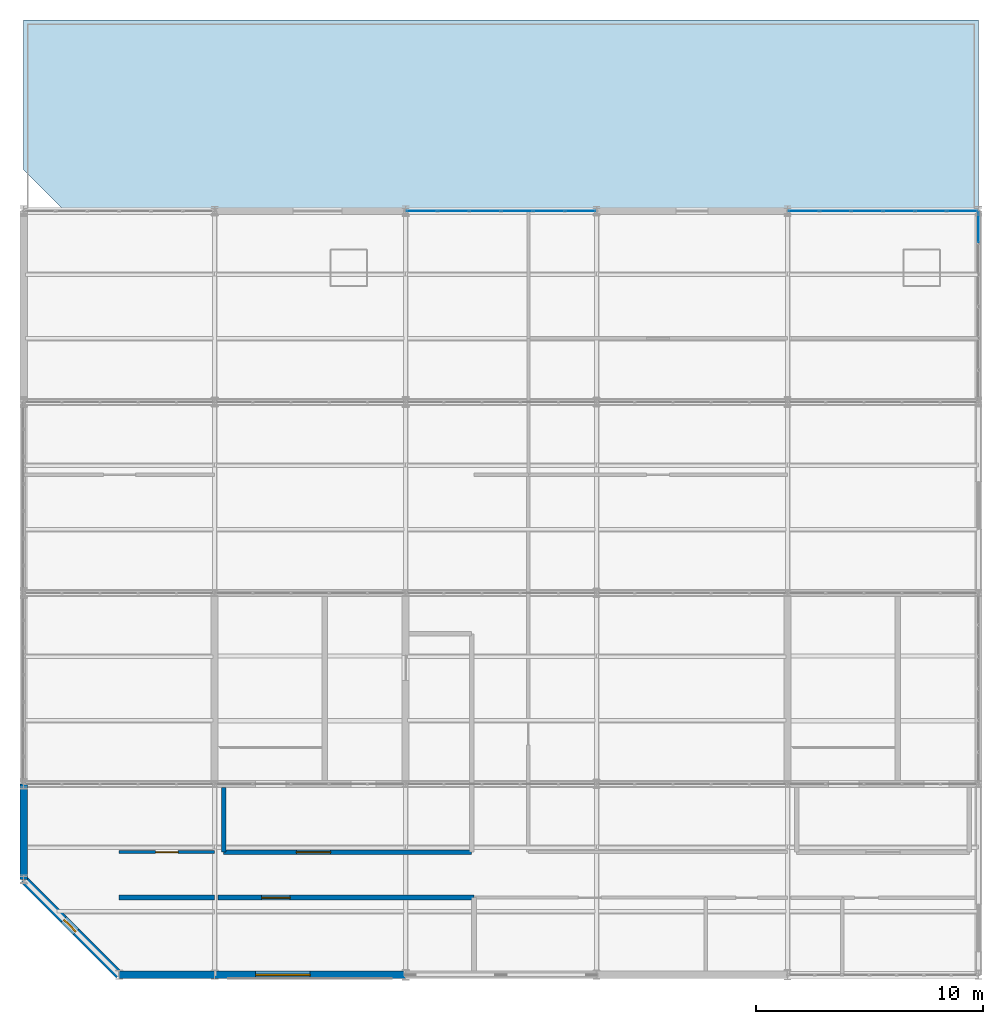
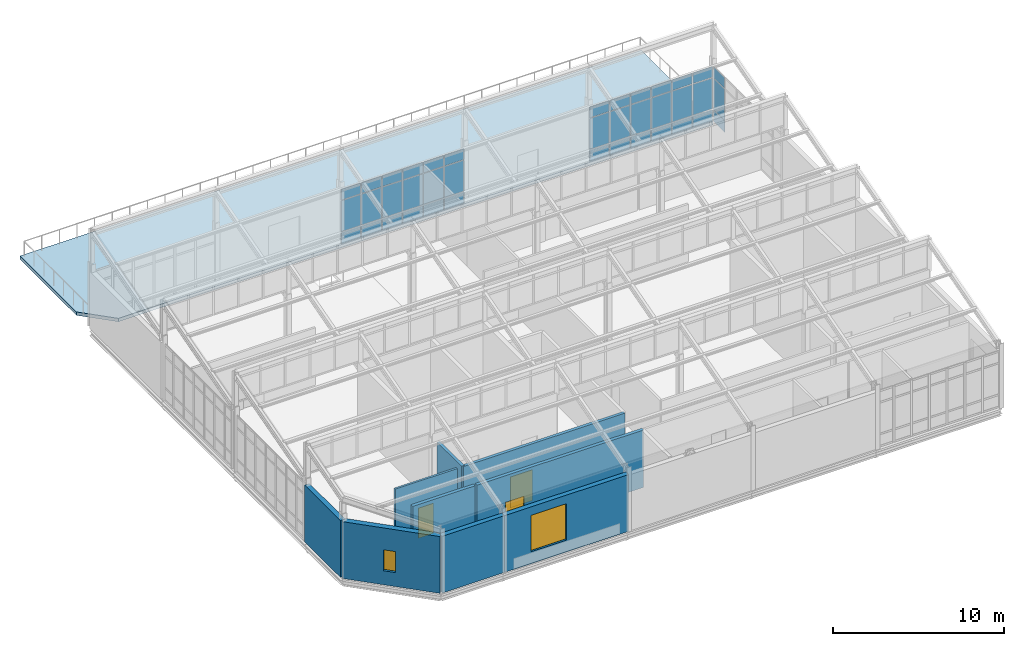
# One storey, part 49 of 53: 39 plates, 9 walls, 3 doors, 2 windows, 1 slab, 5 openings, 3 elements without a shape of their own.
"""IFC4 building model written with IfcOpenShell, lengths in metres."""

from ifc_helpers import new_model, si_unit, direction, frame, frame_2d, origin, origin_2d, place, context, subcontext, project, spatial, polyline, rectangle, outline, extrude, material, layer, layer_set, type_object, element, fill, aggregate, save


model = new_model("IFC4")

# Units and contexts
model_context = context("Model", 3, precision=1e-05, world=origin(), true_north=direction((0.0, 1.0)))
body_context = subcontext(model_context, "Body", "Model", "MODEL_VIEW")
ifc_project = project(units=[si_unit("LENGTHUNIT", "METRE"), si_unit("AREAUNIT", "SQUARE_METRE"), si_unit("VOLUMEUNIT", "CUBIC_METRE"), si_unit("PLANEANGLEUNIT", "RADIAN"), si_unit("MASSUNIT", "GRAM", prefix="KILO")], contexts=[model_context])

# Site, building, storey
site_placement = place(None, origin())
site = spatial("IfcSite", under=ifc_project, at=site_placement, CompositionType="ELEMENT")
building_placement = place(site_placement, origin())
building = spatial("IfcBuilding", under=site, at=building_placement, Name="Qalvenar Corner Mobility Hub", CompositionType="ELEMENT")
storey_placement = place(building_placement, frame((0.0, 0.0, 26.39990234375)))
storey = spatial("IfcBuildingStorey", under=building, at=storey_placement, Name="L06", CompositionType="ELEMENT", Elevation=26.39990234375)

# Curtain wall, plates
ifc_material_1 = material(Name="Anodised Aluminium and Low-E Glazing", Category="aluminium")
ifc_layer_1 = layer(ifc_material_1, 0.14990234375)
ifc_layer_set_1 = layer_set([ifc_layer_1], Name="Anodised Aluminium and Low-E Glazing")
curtain_wall_type_1 = type_object("IfcCurtainWallType", Name="CW-CIV-84X40", PredefinedType="NOTDEFINED", material=ifc_layer_set_1)
curtain_wall_1_placement = place(storey_placement, origin())
curtain_wall_1 = element("IfcCurtainWall", 1, at=curtain_wall_1_placement, inside=storey, type_object=curtain_wall_type_1, Name="Glazed Curtain Wall CW-V3-L06-N2", PredefinedType="NOTDEFINED")
ifc_material_2 = material(Name="Solar-Control Low-E Double Glazing", Category="glass")
ifc_layer_2 = layer(ifc_material_2, 0.028076171875)
ifc_layer_set_2 = layer_set([ifc_layer_2], Name="Solar-Control Low-E Double Glazing")
plate_type = type_object("IfcPlateType", Name="PLT-CWP-GLZ1", PredefinedType="CURTAIN_PANEL", material=ifc_layer_set_2)
plate_1_placement = place(storey_placement, frame((24.485107421875, 33.60009765625, 0.05517578125), z_axis=(0.0, 0.0, 1.0), x_axis=(-1.0, 0.0, 0.0)))
plate_1 = element("IfcPlate", 2, at=plate_1_placement, type_object=plate_type, Name="CW-05 panel 1.1", PredefinedType="CURTAIN_PANEL", context=body_context, shape_type="SweptSolid", body=[
    extrude(rectangle(XDim=1.31005859375, YDim=0.028076171875, at=origin_2d()), origin(), (0.0, 0.0, 1.0), 0.8173828125),
])
plate_2_placement = place(storey_placement, frame((24.485107421875, 33.60009765625, 0.927490234375), z_axis=(0.0, 0.0, 1.0), x_axis=(-1.0, 0.0, 0.0)))
plate_2 = element("IfcPlate", 3, at=plate_2_placement, type_object=plate_type, Name="CW-05 panel 1.2", PredefinedType="CURTAIN_PANEL", context=body_context, shape_type="SweptSolid", body=[
    extrude(rectangle(XDim=1.31005859375, YDim=0.028076171875, at=origin_2d()), origin(), (0.0, 0.0, 1.0), 2.205078125),
])
plate_3_placement = place(storey_placement, frame((24.485107421875, 33.60009765625, 3.1875), z_axis=(0.0, 0.0, 1.0), x_axis=(-1.0, 0.0, 0.0)))
plate_3 = element("IfcPlate", 4, at=plate_3_placement, type_object=plate_type, Name="CW-05 panel 1.3", PredefinedType="CURTAIN_PANEL", context=body_context, shape_type="SweptSolid", body=[
    extrude(rectangle(XDim=1.31005859375, YDim=0.028076171875, at=origin_2d()), origin(), (0.0, 0.0, 1.0), 0.767578125),
])
plate_4_placement = place(storey_placement, frame((23.10009765625, 33.60009765625, 0.05517578125), z_axis=(0.0, 0.0, 1.0), x_axis=(-1.0, 0.0, 0.0)))
plate_4 = element("IfcPlate", 5, at=plate_4_placement, type_object=plate_type, Name="CW-05 panel 2.1", PredefinedType="CURTAIN_PANEL", context=body_context, shape_type="SweptSolid", body=[
    extrude(rectangle(XDim=1.340087890625, YDim=0.028076171875, at=origin_2d()), origin(), (0.0, 0.0, 1.0), 0.8173828125),
])
plate_5_placement = place(storey_placement, frame((23.10009765625, 33.60009765625, 0.927490234375), z_axis=(0.0, 0.0, 1.0), x_axis=(-1.0, 0.0, 0.0)))
plate_5 = element("IfcPlate", 6, at=plate_5_placement, type_object=plate_type, Name="CW-05 panel 2.2", PredefinedType="CURTAIN_PANEL", context=body_context, shape_type="SweptSolid", body=[
    extrude(rectangle(XDim=1.340087890625, YDim=0.028076171875, at=origin_2d()), origin(), (0.0, 0.0, 1.0), 2.205078125),
])
plate_6_placement = place(storey_placement, frame((23.10009765625, 33.60009765625, 3.1875), z_axis=(0.0, 0.0, 1.0), x_axis=(-1.0, 0.0, 0.0)))
plate_6 = element("IfcPlate", 7, at=plate_6_placement, type_object=plate_type, Name="CW-05 panel 2.3", PredefinedType="CURTAIN_PANEL", context=body_context, shape_type="SweptSolid", body=[
    extrude(rectangle(XDim=1.340087890625, YDim=0.028076171875, at=origin_2d()), origin(), (0.0, 0.0, 1.0), 0.767578125),
])
plate_7_placement = place(storey_placement, frame((21.699951171875, 33.60009765625, 0.05517578125), z_axis=(0.0, 0.0, 1.0), x_axis=(-1.0, 0.0, 0.0)))
plate_7 = element("IfcPlate", 8, at=plate_7_placement, type_object=plate_type, Name="CW-05 panel 3.1", PredefinedType="CURTAIN_PANEL", context=body_context, shape_type="SweptSolid", body=[
    extrude(rectangle(XDim=1.340087890625, YDim=0.028076171875, at=origin_2d()), origin(), (0.0, 0.0, 1.0), 0.8173828125),
])
plate_8_placement = place(storey_placement, frame((21.699951171875, 33.60009765625, 0.927490234375), z_axis=(0.0, 0.0, 1.0), x_axis=(-1.0, 0.0, 0.0)))
plate_8 = element("IfcPlate", 9, at=plate_8_placement, type_object=plate_type, Name="CW-05 panel 3.2", PredefinedType="CURTAIN_PANEL", context=body_context, shape_type="SweptSolid", body=[
    extrude(rectangle(XDim=1.340087890625, YDim=0.028076171875, at=origin_2d()), origin(), (0.0, 0.0, 1.0), 2.205078125),
])
plate_9_placement = place(storey_placement, frame((21.699951171875, 33.60009765625, 3.1875), z_axis=(0.0, 0.0, 1.0), x_axis=(-1.0, 0.0, 0.0)))
plate_9 = element("IfcPlate", 10, at=plate_9_placement, type_object=plate_type, Name="CW-05 panel 3.3", PredefinedType="CURTAIN_PANEL", context=body_context, shape_type="SweptSolid", body=[
    extrude(rectangle(XDim=1.340087890625, YDim=0.028076171875, at=origin_2d()), origin(), (0.0, 0.0, 1.0), 0.767578125),
])
plate_10_placement = place(storey_placement, frame((20.300048828125, 33.60009765625, 0.05517578125), z_axis=(0.0, 0.0, 1.0), x_axis=(-1.0, 0.0, 0.0)))
plate_10 = element("IfcPlate", 11, at=plate_10_placement, type_object=plate_type, Name="CW-05 panel 4.1", PredefinedType="CURTAIN_PANEL", context=body_context, shape_type="SweptSolid", body=[
    extrude(rectangle(XDim=1.340087890625, YDim=0.028076171875, at=origin_2d()), origin(), (0.0, 0.0, 1.0), 0.8173828125),
])
plate_11_placement = place(storey_placement, frame((20.300048828125, 33.60009765625, 0.927490234375), z_axis=(0.0, 0.0, 1.0), x_axis=(-1.0, 0.0, 0.0)))
plate_11 = element("IfcPlate", 12, at=plate_11_placement, type_object=plate_type, Name="CW-05 panel 4.2", PredefinedType="CURTAIN_PANEL", context=body_context, shape_type="SweptSolid", body=[
    extrude(rectangle(XDim=1.340087890625, YDim=0.028076171875, at=origin_2d()), origin(), (0.0, 0.0, 1.0), 2.205078125),
])
plate_12_placement = place(storey_placement, frame((20.300048828125, 33.60009765625, 3.1875), z_axis=(0.0, 0.0, 1.0), x_axis=(-1.0, 0.0, 0.0)))
plate_12 = element("IfcPlate", 13, at=plate_12_placement, type_object=plate_type, Name="CW-05 panel 4.3", PredefinedType="CURTAIN_PANEL", context=body_context, shape_type="SweptSolid", body=[
    extrude(rectangle(XDim=1.340087890625, YDim=0.028076171875, at=origin_2d()), origin(), (0.0, 0.0, 1.0), 0.767578125),
])
plate_13_placement = place(storey_placement, frame((18.89990234375, 33.60009765625, 0.05517578125), z_axis=(0.0, 0.0, 1.0), x_axis=(-1.0, 0.0, 0.0)))
plate_13 = element("IfcPlate", 14, at=plate_13_placement, type_object=plate_type, Name="CW-05 panel 5.1", PredefinedType="CURTAIN_PANEL", context=body_context, shape_type="SweptSolid", body=[
    extrude(rectangle(XDim=1.340087890625, YDim=0.028076171875, at=origin_2d()), origin(), (0.0, 0.0, 1.0), 0.8173828125),
])
plate_14_placement = place(storey_placement, frame((18.89990234375, 33.60009765625, 0.927490234375), z_axis=(0.0, 0.0, 1.0), x_axis=(-1.0, 0.0, 0.0)))
plate_14 = element("IfcPlate", 15, at=plate_14_placement, type_object=plate_type, Name="CW-05 panel 5.2", PredefinedType="CURTAIN_PANEL", context=body_context, shape_type="SweptSolid", body=[
    extrude(rectangle(XDim=1.340087890625, YDim=0.028076171875, at=origin_2d()), origin(), (0.0, 0.0, 1.0), 2.205078125),
])
plate_15_placement = place(storey_placement, frame((18.89990234375, 33.60009765625, 3.1875), z_axis=(0.0, 0.0, 1.0), x_axis=(-1.0, 0.0, 0.0)))
plate_15 = element("IfcPlate", 16, at=plate_15_placement, type_object=plate_type, Name="CW-05 panel 5.3", PredefinedType="CURTAIN_PANEL", context=body_context, shape_type="SweptSolid", body=[
    extrude(rectangle(XDim=1.340087890625, YDim=0.028076171875, at=origin_2d()), origin(), (0.0, 0.0, 1.0), 0.767578125),
])
plate_16_placement = place(storey_placement, frame((17.514892578125, 33.60009765625, 0.05517578125), z_axis=(0.0, 0.0, 1.0), x_axis=(-1.0, 0.0, 0.0)))
plate_16 = element("IfcPlate", 17, at=plate_16_placement, type_object=plate_type, Name="CW-05 panel 6.1", PredefinedType="CURTAIN_PANEL", context=body_context, shape_type="SweptSolid", body=[
    extrude(rectangle(XDim=1.31005859375, YDim=0.028076171875, at=origin_2d()), origin(), (0.0, 0.0, 1.0), 0.8173828125),
])
plate_17_placement = place(storey_placement, frame((17.514892578125, 33.60009765625, 0.927490234375), z_axis=(0.0, 0.0, 1.0), x_axis=(-1.0, 0.0, 0.0)))
plate_17 = element("IfcPlate", 18, at=plate_17_placement, type_object=plate_type, Name="CW-05 panel 6.2", PredefinedType="CURTAIN_PANEL", context=body_context, shape_type="SweptSolid", body=[
    extrude(rectangle(XDim=1.31005859375, YDim=0.028076171875, at=origin_2d()), origin(), (0.0, 0.0, 1.0), 2.205078125),
])
plate_18_placement = place(storey_placement, frame((17.514892578125, 33.60009765625, 3.1875), z_axis=(0.0, 0.0, 1.0), x_axis=(-1.0, 0.0, 0.0)))
plate_18 = element("IfcPlate", 19, at=plate_18_placement, type_object=plate_type, Name="CW-05 panel 6.3", PredefinedType="CURTAIN_PANEL", context=body_context, shape_type="SweptSolid", body=[
    extrude(rectangle(XDim=1.31005859375, YDim=0.028076171875, at=origin_2d()), origin(), (0.0, 0.0, 1.0), 0.767578125),
])
aggregate(curtain_wall_1, [plate_1, plate_2, plate_3, plate_4, plate_5, plate_6, plate_7, plate_8, plate_9, plate_10, plate_11, plate_12, plate_13, plate_14, plate_15, plate_16, plate_17, plate_18])

curtain_wall_2_placement = place(storey_placement, origin())
curtain_wall_2 = element("IfcCurtainWall", 20, at=curtain_wall_2_placement, inside=storey, type_object=curtain_wall_type_1, Name="Glazed Curtain Wall CW-V3-L06-N4", PredefinedType="NOTDEFINED")
plate_19_placement = place(storey_placement, frame((41.284912109375, 33.60009765625, 0.05517578125), z_axis=(0.0, 0.0, 1.0), x_axis=(-1.0, 0.0, 0.0)))
plate_19 = element("IfcPlate", 21, at=plate_19_placement, type_object=plate_type, Name="CW-05 panel 1.1", PredefinedType="CURTAIN_PANEL", context=body_context, shape_type="SweptSolid", body=[
    extrude(rectangle(XDim=1.31005859375, YDim=0.028076171875, at=origin_2d()), origin(), (0.0, 0.0, 1.0), 0.8173828125),
])
plate_20_placement = place(storey_placement, frame((41.284912109375, 33.60009765625, 0.927490234375), z_axis=(0.0, 0.0, 1.0), x_axis=(-1.0, 0.0, 0.0)))
plate_20 = element("IfcPlate", 22, at=plate_20_placement, type_object=plate_type, Name="CW-05 panel 1.2", PredefinedType="CURTAIN_PANEL", context=body_context, shape_type="SweptSolid", body=[
    extrude(rectangle(XDim=1.31005859375, YDim=0.028076171875, at=origin_2d()), origin(), (0.0, 0.0, 1.0), 2.205078125),
])
plate_21_placement = place(storey_placement, frame((41.284912109375, 33.60009765625, 3.1875), z_axis=(0.0, 0.0, 1.0), x_axis=(-1.0, 0.0, 0.0)))
plate_21 = element("IfcPlate", 23, at=plate_21_placement, type_object=plate_type, Name="CW-05 panel 1.3", PredefinedType="CURTAIN_PANEL", context=body_context, shape_type="SweptSolid", body=[
    extrude(rectangle(XDim=1.31005859375, YDim=0.028076171875, at=origin_2d()), origin(), (0.0, 0.0, 1.0), 0.767578125),
])
plate_22_placement = place(storey_placement, frame((39.89990234375, 33.60009765625, 0.05517578125), z_axis=(0.0, 0.0, 1.0), x_axis=(-1.0, 0.0, 0.0)))
plate_22 = element("IfcPlate", 24, at=plate_22_placement, type_object=plate_type, Name="CW-05 panel 2.1", PredefinedType="CURTAIN_PANEL", context=body_context, shape_type="SweptSolid", body=[
    extrude(rectangle(XDim=1.340087890625, YDim=0.028076171875, at=origin_2d()), origin(), (0.0, 0.0, 1.0), 0.8173828125),
])
plate_23_placement = place(storey_placement, frame((39.89990234375, 33.60009765625, 0.927490234375), z_axis=(0.0, 0.0, 1.0), x_axis=(-1.0, 0.0, 0.0)))
plate_23 = element("IfcPlate", 25, at=plate_23_placement, type_object=plate_type, Name="CW-05 panel 2.2", PredefinedType="CURTAIN_PANEL", context=body_context, shape_type="SweptSolid", body=[
    extrude(rectangle(XDim=1.340087890625, YDim=0.028076171875, at=origin_2d()), origin(), (0.0, 0.0, 1.0), 2.205078125),
])
plate_24_placement = place(storey_placement, frame((39.89990234375, 33.60009765625, 3.1875), z_axis=(0.0, 0.0, 1.0), x_axis=(-1.0, 0.0, 0.0)))
plate_24 = element("IfcPlate", 26, at=plate_24_placement, type_object=plate_type, Name="CW-05 panel 2.3", PredefinedType="CURTAIN_PANEL", context=body_context, shape_type="SweptSolid", body=[
    extrude(rectangle(XDim=1.340087890625, YDim=0.028076171875, at=origin_2d()), origin(), (0.0, 0.0, 1.0), 0.767578125),
])
plate_25_placement = place(storey_placement, frame((38.5, 33.60009765625, 0.05517578125), z_axis=(0.0, 0.0, 1.0), x_axis=(-1.0, 0.0, 0.0)))
plate_25 = element("IfcPlate", 27, at=plate_25_placement, type_object=plate_type, Name="CW-05 panel 3.1", PredefinedType="CURTAIN_PANEL", context=body_context, shape_type="SweptSolid", body=[
    extrude(rectangle(XDim=1.340087890625, YDim=0.028076171875, at=origin_2d()), origin(), (0.0, 0.0, 1.0), 0.8173828125),
])
plate_26_placement = place(storey_placement, frame((38.5, 33.60009765625, 0.927490234375), z_axis=(0.0, 0.0, 1.0), x_axis=(-1.0, 0.0, 0.0)))
plate_26 = element("IfcPlate", 28, at=plate_26_placement, type_object=plate_type, Name="CW-05 panel 3.2", PredefinedType="CURTAIN_PANEL", context=body_context, shape_type="SweptSolid", body=[
    extrude(rectangle(XDim=1.340087890625, YDim=0.028076171875, at=origin_2d()), origin(), (0.0, 0.0, 1.0), 2.205078125),
])
plate_27_placement = place(storey_placement, frame((38.5, 33.60009765625, 3.1875), z_axis=(0.0, 0.0, 1.0), x_axis=(-1.0, 0.0, 0.0)))
plate_27 = element("IfcPlate", 29, at=plate_27_placement, type_object=plate_type, Name="CW-05 panel 3.3", PredefinedType="CURTAIN_PANEL", context=body_context, shape_type="SweptSolid", body=[
    extrude(rectangle(XDim=1.340087890625, YDim=0.028076171875, at=origin_2d()), origin(), (0.0, 0.0, 1.0), 0.767578125),
])
plate_28_placement = place(storey_placement, frame((37.10009765625, 33.60009765625, 0.05517578125), z_axis=(0.0, 0.0, 1.0), x_axis=(-1.0, 0.0, 0.0)))
plate_28 = element("IfcPlate", 30, at=plate_28_placement, type_object=plate_type, Name="CW-05 panel 4.1", PredefinedType="CURTAIN_PANEL", context=body_context, shape_type="SweptSolid", body=[
    extrude(rectangle(XDim=1.340087890625, YDim=0.028076171875, at=origin_2d()), origin(), (0.0, 0.0, 1.0), 0.8173828125),
])
plate_29_placement = place(storey_placement, frame((37.10009765625, 33.60009765625, 0.927490234375), z_axis=(0.0, 0.0, 1.0), x_axis=(-1.0, 0.0, 0.0)))
plate_29 = element("IfcPlate", 31, at=plate_29_placement, type_object=plate_type, Name="CW-05 panel 4.2", PredefinedType="CURTAIN_PANEL", context=body_context, shape_type="SweptSolid", body=[
    extrude(rectangle(XDim=1.340087890625, YDim=0.028076171875, at=origin_2d()), origin(), (0.0, 0.0, 1.0), 2.205078125),
])
plate_30_placement = place(storey_placement, frame((37.10009765625, 33.60009765625, 3.1875), z_axis=(0.0, 0.0, 1.0), x_axis=(-1.0, 0.0, 0.0)))
plate_30 = element("IfcPlate", 32, at=plate_30_placement, type_object=plate_type, Name="CW-05 panel 4.3", PredefinedType="CURTAIN_PANEL", context=body_context, shape_type="SweptSolid", body=[
    extrude(rectangle(XDim=1.340087890625, YDim=0.028076171875, at=origin_2d()), origin(), (0.0, 0.0, 1.0), 0.767578125),
])
plate_31_placement = place(storey_placement, frame((35.699951171875, 33.60009765625, 0.05517578125), z_axis=(0.0, 0.0, 1.0), x_axis=(-1.0, 0.0, 0.0)))
plate_31 = element("IfcPlate", 33, at=plate_31_placement, type_object=plate_type, Name="CW-05 panel 5.1", PredefinedType="CURTAIN_PANEL", context=body_context, shape_type="SweptSolid", body=[
    extrude(rectangle(XDim=1.340087890625, YDim=0.028076171875, at=origin_2d()), origin(), (0.0, 0.0, 1.0), 0.8173828125),
])
plate_32_placement = place(storey_placement, frame((35.699951171875, 33.60009765625, 0.927490234375), z_axis=(0.0, 0.0, 1.0), x_axis=(-1.0, 0.0, 0.0)))
plate_32 = element("IfcPlate", 34, at=plate_32_placement, type_object=plate_type, Name="CW-05 panel 5.2", PredefinedType="CURTAIN_PANEL", context=body_context, shape_type="SweptSolid", body=[
    extrude(rectangle(XDim=1.340087890625, YDim=0.028076171875, at=origin_2d()), origin(), (0.0, 0.0, 1.0), 2.205078125),
])
plate_33_placement = place(storey_placement, frame((35.699951171875, 33.60009765625, 3.1875), z_axis=(0.0, 0.0, 1.0), x_axis=(-1.0, 0.0, 0.0)))
plate_33 = element("IfcPlate", 35, at=plate_33_placement, type_object=plate_type, Name="CW-05 panel 5.3", PredefinedType="CURTAIN_PANEL", context=body_context, shape_type="SweptSolid", body=[
    extrude(rectangle(XDim=1.340087890625, YDim=0.028076171875, at=origin_2d()), origin(), (0.0, 0.0, 1.0), 0.767578125),
])
plate_34_placement = place(storey_placement, frame((34.31494140625, 33.60009765625, 0.05517578125), z_axis=(0.0, 0.0, 1.0), x_axis=(-1.0, 0.0, 0.0)))
plate_34 = element("IfcPlate", 36, at=plate_34_placement, type_object=plate_type, Name="CW-05 panel 6.1", PredefinedType="CURTAIN_PANEL", context=body_context, shape_type="SweptSolid", body=[
    extrude(rectangle(XDim=1.31005859375, YDim=0.028076171875, at=origin_2d()), origin(), (0.0, 0.0, 1.0), 0.8173828125),
])
plate_35_placement = place(storey_placement, frame((34.31494140625, 33.60009765625, 0.927490234375), z_axis=(0.0, 0.0, 1.0), x_axis=(-1.0, 0.0, 0.0)))
plate_35 = element("IfcPlate", 37, at=plate_35_placement, type_object=plate_type, Name="CW-05 panel 6.2", PredefinedType="CURTAIN_PANEL", context=body_context, shape_type="SweptSolid", body=[
    extrude(rectangle(XDim=1.31005859375, YDim=0.028076171875, at=origin_2d()), origin(), (0.0, 0.0, 1.0), 2.205078125),
])
plate_36_placement = place(storey_placement, frame((34.31494140625, 33.60009765625, 3.1875), z_axis=(0.0, 0.0, 1.0), x_axis=(-1.0, 0.0, 0.0)))
plate_36 = element("IfcPlate", 38, at=plate_36_placement, type_object=plate_type, Name="CW-05 panel 6.3", PredefinedType="CURTAIN_PANEL", context=body_context, shape_type="SweptSolid", body=[
    extrude(rectangle(XDim=1.31005859375, YDim=0.028076171875, at=origin_2d()), origin(), (0.0, 0.0, 1.0), 0.767578125),
])
aggregate(curtain_wall_2, [plate_19, plate_20, plate_21, plate_22, plate_23, plate_24, plate_25, plate_26, plate_27, plate_28, plate_29, plate_30, plate_31, plate_32, plate_33, plate_34, plate_35, plate_36])

ifc_layer_3 = layer(ifc_material_1, 0.14990234375)
ifc_layer_set_3 = layer_set([ifc_layer_3], Name="Anodised Aluminium and Low-E Glazing")
curtain_wall_type_2 = type_object("IfcCurtainWallType", Name="CW-SPT-84X44", PredefinedType="NOTDEFINED", material=ifc_layer_set_3)
curtain_wall_3_placement = place(storey_placement, origin())
curtain_wall_3 = element("IfcCurtainWall", 39, at=curtain_wall_3_placement, inside=storey, type_object=curtain_wall_type_2, Name="Glazed Curtain Wall CW-V3-L06-E3", PredefinedType="NOTDEFINED")
plate_37_placement = place(storey_placement, frame((42.0, 32.885009765625, 0.05517578125), z_axis=(0.0, 0.0, 1.0), x_axis=(0.0, 1.0, 0.0)))
plate_37 = element("IfcPlate", 40, at=plate_37_placement, type_object=plate_type, Name="CW-06 panel 6.1", PredefinedType="CURTAIN_PANEL", context=body_context, shape_type="SweptSolid", body=[
    extrude(rectangle(XDim=1.31005859375, YDim=0.028076171875, at=origin_2d()), origin(), (0.0, 0.0, 1.0), 0.8173828125),
])
plate_38_placement = place(storey_placement, frame((42.0, 32.885009765625, 0.927490234375), z_axis=(0.0, 0.0, 1.0), x_axis=(0.0, 1.0, 0.0)))
plate_38 = element("IfcPlate", 41, at=plate_38_placement, type_object=plate_type, Name="CW-06 panel 6.2", PredefinedType="CURTAIN_PANEL", context=body_context, shape_type="SweptSolid", body=[
    extrude(rectangle(XDim=1.31005859375, YDim=0.028076171875, at=origin_2d()), origin(), (0.0, 0.0, 1.0), 2.205078125),
])
plate_39_placement = place(storey_placement, frame((42.0, 32.885009765625, 3.1875), z_axis=(0.0, 0.0, 1.0), x_axis=(0.0, 1.0, 0.0)))
plate_39 = element("IfcPlate", 42, at=plate_39_placement, type_object=plate_type, Name="CW-06 panel 6.3", PredefinedType="CURTAIN_PANEL", context=body_context, shape_type="SweptSolid", body=[
    extrude(rectangle(XDim=1.31005859375, YDim=0.028076171875, at=origin_2d()), origin(), (0.0, 0.0, 1.0), 0.767578125),
])
aggregate(curtain_wall_3, [plate_37, plate_38, plate_39])

# Slab
ifc_material_3 = material(Name="Concrete C35/45", Category="concrete")
ifc_layer_4 = layer(ifc_material_3, 0.241943359375)
ifc_layer_set_4 = layer_set([ifc_layer_4], Name="Concrete C35/45")
slab_type = type_object("IfcSlabType", Name="SLB-TERR210", PredefinedType="FLOOR", material=ifc_layer_set_4)
slab_placement = place(storey_placement, frame((0.0, 0.0, -0.241943359375)))
element("IfcSlab", 43, at=slab_placement, inside=storey, type_object=slab_type, Name="Walkable Terrace Slab TER-V3-L06", PredefinedType="FLOOR", context=body_context, shape_type="SweptSolid", body=[
    extrude(outline(polyline([(1.800048828125, 33.60009765625), (42.0, 33.60009765625), (42.0, 42.0), (0.0, 42.0), (0.0, 35.39990234375), (1.800048828125, 33.60009765625)])), origin(), (0.0, 0.0, 1.0), 0.241943359375),
])

# Wall
ifc_material_4 = material(Name="Red Sandstone Ashlar Masonry", Category="masonry")
ifc_layer_5 = layer(ifc_material_4, 0.320068359375)
ifc_layer_set_5 = layer_set([ifc_layer_5], Name="Red Sandstone Ashlar Masonry")
wall_type_1 = type_object("IfcWallType", Name="WL-EXT-SAND320", PredefinedType="STANDARD", material=ifc_layer_set_5)
wall_1_placement = place(storey_placement, frame((4.199951171875, 0.0, 0.0), z_axis=(0.0, 0.0, 1.0), x_axis=(1.0, 0.0, 0.0)))
element("IfcWall", 44, at=wall_1_placement, inside=storey, type_object=wall_type_1, Name="Exterior Facade Wall EW-V3-L06-067", PredefinedType="STANDARD", context=body_context, shape_type="SweptSolid", body=[
    extrude(rectangle(XDim=4.199951171875, YDim=0.320068359375, at=frame_2d((2.10009765625, 0.0))), origin(), (0.0, 0.0, 1.0), 4.06005859375),
])

# Wall, opening, window
wall_2_placement = place(storey_placement, frame((8.39990234375, 0.0, 0.0), z_axis=(0.0, 0.0, 1.0), x_axis=(1.0, 0.0, 0.0)))
wall_2 = element("IfcWall", 45, at=wall_2_placement, inside=storey, type_object=wall_type_1, Name="Exterior Facade Wall EW-V3-L06-068", PredefinedType="STANDARD", context=body_context, shape_type="SweptSolid", body=[
    extrude(rectangle(XDim=8.400146484375, YDim=0.320068359375, at=frame_2d((4.2001953125, 0.0))), origin(), (0.0, 0.0, 1.0), 4.06005859375),
])
opening_1_placement = place(wall_2_placement, frame((1.800048828125, 0.0, 0.85009765625)))
opening_1 = element("IfcOpeningElement", 46, at=opening_1_placement, cuts=wall_2, Name="Opening W-09", PredefinedType="OPENING", context=body_context, shape_type="SweptSolid", body=[
    extrude(rectangle(XDim=2.39990234375, YDim=2.60009765625, at=frame_2d((1.199951171875, 1.300048828125))), frame((0.0, 0.169921875, 0.0), z_axis=(0.0, -1.0, 0.0), x_axis=(1.0, 0.0, 0.0)), (0.0, 0.0, 1.0), 0.340087890625),
])
ifc_material_5 = material(Name="Solar-Control Double-Glazed Bronze Window", Category="glass")
window_type_1 = type_object("IfcWindowType", Name="WN-SPT-240X260", PartitioningType="TRIPLE_PANEL_VERTICAL", PredefinedType="WINDOW", material=ifc_material_5)
window_1_placement = place(opening_1_placement, origin())
window_1 = element("IfcWindow", 47, at=window_1_placement, inside=storey, type_object=window_type_1, Name="Facade Window EW-V3-L06-068-W1", OverallHeight=2.60009765625, OverallWidth=2.39990234375, PartitioningType="SINGLE_PANEL", PredefinedType="WINDOW", context=body_context, shape_type="SweptSolid", body=[
    extrude(rectangle(XDim=2.39990234375, YDim=2.60009765625, at=frame_2d((1.199951171875, 1.300048828125))), frame((0.0, 0.030029296875, 0.0), z_axis=(0.0, -1.0, 0.0), x_axis=(1.0, 0.0, 0.0)), (0.0, 0.0, 1.0), 0.06005859375),
])
fill(opening_1, window_1)

# Wall
wall_3_placement = place(storey_placement, frame((0.0, 8.39990234375, 0.0), z_axis=(0.0, 0.0, 1.0), x_axis=(0.0, -1.0, 0.0)))
element("IfcWall", 48, at=wall_3_placement, inside=storey, type_object=wall_type_1, Name="Exterior Facade Wall EW-V3-L06-070", PredefinedType="STANDARD", context=body_context, shape_type="SweptSolid", body=[
    extrude(rectangle(XDim=4.199951171875, YDim=0.320068359375, at=frame_2d((2.10009765625, 0.0))), origin(), (0.0, 0.0, 1.0), 4.06005859375),
])

# Wall, opening, window
ifc_material_6 = material(Name="Red Sandstone Ashlar Masonry", Category="masonry")
ifc_layer_6 = layer(ifc_material_6, 0.360107421875)
ifc_layer_set_6 = layer_set([ifc_layer_6], Name="Red Sandstone Ashlar Masonry")
wall_type_2 = type_object("IfcWallType", Name="WL-EXT-SAND360", PredefinedType="STANDARD", material=ifc_layer_set_6)
wall_4_placement = place(storey_placement, frame((0.0, 4.199951171875, 0.0), z_axis=(0.0, 0.0, 1.0), x_axis=(0.707106781187, -0.707106781187, 0.0)))
wall_4 = element("IfcWall", 49, at=wall_4_placement, inside=storey, type_object=wall_type_2, Name="Exterior Facade Wall EW-V3-SPL-L06", PredefinedType="STANDARD", context=body_context, shape_type="SweptSolid", body=[
    extrude(rectangle(XDim=5.939697265625, YDim=0.360107421875, at=frame_2d((2.9697265625, 0.0))), origin(), (0.0, 0.0, 1.0), 4.06005859375),
])
opening_2_placement = place(wall_4_placement, frame((2.5, 0.0, 1.0)))
opening_2 = element("IfcOpeningElement", 50, at=opening_2_placement, cuts=wall_4, Name="Opening W-24", PredefinedType="OPENING", context=body_context, shape_type="SweptSolid", body=[
    extrude(rectangle(XDim=0.75, YDim=1.5, at=frame_2d((0.375, 0.75))), frame((0.0, 0.18994140625, 0.0), z_axis=(0.0, -1.0, 0.0), x_axis=(1.0, 0.0, 0.0)), (0.0, 0.0, 1.0), 0.380126953125),
])
window_type_2 = type_object("IfcWindowType", Name="WN-STR-075X150", PartitioningType="SINGLE_PANEL", PredefinedType="WINDOW", material=ifc_material_5)
window_2_placement = place(opening_2_placement, origin())
window_2 = element("IfcWindow", 51, at=window_2_placement, inside=storey, type_object=window_type_2, Name="Facade Window EW-V3-SPL-L06-W1", OverallHeight=1.5, OverallWidth=0.75, PartitioningType="SINGLE_PANEL", PredefinedType="WINDOW", context=body_context, shape_type="SweptSolid", body=[
    extrude(rectangle(XDim=0.75, YDim=1.5, at=frame_2d((0.375, 0.75))), frame((0.0, 0.030029296875, 0.0), z_axis=(0.0, -1.0, 0.0), x_axis=(1.0, 0.0, 0.0)), (0.0, 0.0, 1.0), 0.06005859375),
])
fill(opening_2, window_2)

# Wall
ifc_material_7 = material(Name="Concrete Blockwork Masonry", Category="masonry")
ifc_layer_7 = layer(ifc_material_7, 0.219970703125)
ifc_layer_set_7 = layer_set([ifc_layer_7], Name="Concrete Blockwork Masonry")
wall_type_3 = type_object("IfcWallType", Name="WL-FIRE220", PredefinedType="PARTITIONING", material=ifc_layer_set_7)
wall_5_placement = place(storey_placement, frame((4.199951171875, 3.39990234375, 0.0), z_axis=(0.0, 0.0, 1.0), x_axis=(1.0, 0.0, 0.0)))
element("IfcWall", 52, at=wall_5_placement, inside=storey, type_object=wall_type_3, Name="Interior Partition PRT-L06-001", PredefinedType="PARTITIONING", context=body_context, shape_type="SweptSolid", body=[
    extrude(rectangle(XDim=4.199951171875, YDim=0.219970703125, at=frame_2d((2.10009765625, 0.0))), origin(), (0.0, 0.0, 1.0), 4.10009765625),
])

# Wall, opening, door
wall_6_placement = place(storey_placement, frame((8.550048828125, 3.39990234375, 0.0), z_axis=(0.0, 0.0, 1.0), x_axis=(1.0, 0.0, 0.0)))
wall_6 = element("IfcWall", 53, at=wall_6_placement, inside=storey, type_object=wall_type_3, Name="Interior Partition PRT-L06-002", PredefinedType="PARTITIONING", context=body_context, shape_type="SweptSolid", body=[
    extrude(rectangle(XDim=11.25, YDim=0.219970703125, at=frame_2d((5.625, 0.0))), origin(), (0.0, 0.0, 1.0), 4.10009765625),
])
opening_3_placement = place(wall_6_placement, frame((1.919921875, 0.0, 0.0)))
opening_3 = element("IfcOpeningElement", 54, at=opening_3_placement, cuts=wall_6, Name="Opening DR-281", PredefinedType="OPENING", context=body_context, shape_type="SweptSolid", body=[
    extrude(rectangle(XDim=1.25, YDim=2.199951171875, at=frame_2d((0.625, 1.10009765625))), frame((0.0, 0.1201171875, 0.0), z_axis=(0.0, -1.0, 0.0), x_axis=(1.0, 0.0, 0.0)), (0.0, 0.0, 1.0), 0.239990234375),
])
ifc_material_8 = material(Name="Acoustic Steel Plant Room Door FD60", Category="steel")
door_type_1 = type_object("IfcDoorType", Name="DR-INT-PLT125", OperationType="NOTDEFINED", PredefinedType="DOOR", material=ifc_material_8)
door_1_placement = place(opening_3_placement, origin())
door_1 = element("IfcDoor", 55, at=door_1_placement, inside=storey, type_object=door_type_1, Name="DR-281 Rooftop Fire Water Tank and Booster Room Door", OperationType="SINGLE_SWING_LEFT", OverallHeight=2.199951171875, OverallWidth=1.25, PredefinedType="DOOR", context=body_context, shape_type="SweptSolid", body=[
    extrude(rectangle(XDim=1.25, YDim=2.199951171875, at=frame_2d((0.625, 1.10009765625))), frame((0.0, 0.02490234375, 0.0), z_axis=(0.0, -1.0, 0.0), x_axis=(1.0, 0.0, 0.0)), (0.0, 0.0, 1.0), 0.050048828125),
])
fill(opening_3, door_1)

ifc_material_9 = material(Name="Acoustic Gypsum Stud Partition", Category="masonry")
ifc_layer_8 = layer(ifc_material_9, 0.139892578125)
ifc_layer_set_8 = layer_set([ifc_layer_8], Name="Acoustic Gypsum Stud Partition")
wall_type_4 = type_object("IfcWallType", Name="WL-INT140", PredefinedType="PARTITIONING", material=ifc_layer_set_8)
wall_7_placement = place(storey_placement, frame((4.199951171875, 5.39990234375, 0.0), z_axis=(0.0, 0.0, 1.0), x_axis=(1.0, 0.0, 0.0)))
wall_7 = element("IfcWall", 56, at=wall_7_placement, inside=storey, type_object=wall_type_4, Name="Interior Partition PRT-L06-007", PredefinedType="PARTITIONING", context=body_context, shape_type="SweptSolid", body=[
    extrude(rectangle(XDim=4.199951171875, YDim=0.139892578125, at=frame_2d((2.10009765625, 0.0))), origin(), (0.0, 0.0, 1.0), 4.10009765625),
])
opening_4_placement = place(wall_7_placement, frame((1.60009765625, 0.0, 0.0)))
opening_4 = element("IfcOpeningElement", 57, at=opening_4_placement, cuts=wall_7, Name="Opening DR-285", PredefinedType="OPENING", context=body_context, shape_type="SweptSolid", body=[
    extrude(rectangle(XDim=1.0, YDim=2.14990234375, at=frame_2d((0.5, 1.074951171875))), frame((0.0, 0.080078125, 0.0), z_axis=(0.0, -1.0, 0.0), x_axis=(1.0, 0.0, 0.0)), (0.0, 0.0, 1.0), 0.159912109375),
])
ifc_material_10 = material(Name="Hardwood Teak Office Door FD30", Category="wood")
door_type_2 = type_object("IfcDoorType", Name="DR-INT-OFF100", OperationType="NOTDEFINED", PredefinedType="DOOR", material=ifc_material_10)
door_2_placement = place(opening_4_placement, origin())
door_2 = element("IfcDoor", 58, at=door_2_placement, inside=storey, type_object=door_type_2, Name="DR-285 Indoor Table-Tennis Warm-Up Room Door", OperationType="SINGLE_SWING_RIGHT", OverallHeight=2.14990234375, OverallWidth=1.0, PredefinedType="DOOR", context=body_context, shape_type="SweptSolid", body=[
    extrude(rectangle(XDim=1.0, YDim=2.14990234375, at=frame_2d((0.5, 1.074951171875))), frame((0.0, 0.02490234375, 0.0), z_axis=(0.0, -1.0, 0.0), x_axis=(1.0, 0.0, 0.0)), (0.0, 0.0, 1.0), 0.050048828125),
])
fill(opening_4, door_2)

# Wall
ifc_material_11 = material(Name="Concrete Blockwork Masonry", Category="masonry")
ifc_layer_9 = layer(ifc_material_11, 0.199951171875)
ifc_layer_set_9 = layer_set([ifc_layer_9], Name="Concrete Blockwork Masonry")
wall_type_5 = type_object("IfcWallType", Name="WL-LOBBY200", PredefinedType="PARTITIONING", material=ifc_layer_set_9)
wall_8_placement = place(storey_placement, frame((8.800048828125, 5.39990234375, 0.0), z_axis=(0.0, 0.0, 1.0), x_axis=(0.0, 1.0, 0.0)))
element("IfcWall", 59, at=wall_8_placement, inside=storey, type_object=wall_type_5, Name="Interior Partition WL-LOB-C1-L06-W", PredefinedType="PARTITIONING", context=body_context, shape_type="SweptSolid", body=[
    extrude(rectangle(XDim=2.85009765625, YDim=0.199951171875, at=frame_2d((1.425048828125, 0.0))), origin(), (0.0, 0.0, 1.0), 4.1201171875),
])

# Wall, opening, door
wall_9_placement = place(storey_placement, frame((8.800048828125, 5.39990234375, 0.0), z_axis=(0.0, 0.0, 1.0), x_axis=(1.0, 0.0, 0.0)))
wall_9 = element("IfcWall", 60, at=wall_9_placement, inside=storey, type_object=wall_type_5, Name="Interior Partition WL-LOB-C1-L06-S", PredefinedType="PARTITIONING", context=body_context, shape_type="SweptSolid", body=[
    extrude(rectangle(XDim=10.89990234375, YDim=0.199951171875, at=frame_2d((5.449951171875, 0.0))), origin(), (0.0, 0.0, 1.0), 4.1201171875),
])
opening_5_placement = place(wall_9_placement, frame((3.199951171875, 0.0, 0.0)))
opening_5 = element("IfcOpeningElement", 61, at=opening_5_placement, cuts=wall_9, Name="Opening DR-277", PredefinedType="OPENING", context=body_context, shape_type="SweptSolid", body=[
    extrude(rectangle(XDim=1.5, YDim=2.199951171875, at=frame_2d((0.75, 1.10009765625))), frame((0.0, 0.10986328125, 0.0), z_axis=(0.0, -1.0, 0.0), x_axis=(1.0, 0.0, 0.0)), (0.0, 0.0, 1.0), 0.219970703125),
])
ifc_material_12 = material(Name="Firefighting Lobby Smoke-Control Door FD60", Category="steel")
door_type_3 = type_object("IfcDoorType", Name="DR-FFLOB-150", OperationType="DOUBLE_DOOR_SINGLE_SWING", PredefinedType="DOOR", material=ifc_material_12)
door_3_placement = place(opening_5_placement, origin())
door_3 = element("IfcDoor", 62, at=door_3_placement, inside=storey, type_object=door_type_3, Name="DR-277 Lift Lobby Smoke Door C1-L06", OperationType="DOUBLE_DOOR_SINGLE_SWING", OverallHeight=2.199951171875, OverallWidth=1.5, PredefinedType="DOOR", context=body_context, shape_type="SweptSolid", body=[
    extrude(rectangle(XDim=1.5, YDim=2.199951171875, at=frame_2d((0.75, 1.10009765625))), frame((0.0, 0.02490234375, 0.0), z_axis=(0.0, -1.0, 0.0), x_axis=(1.0, 0.0, 0.0)), (0.0, 0.0, 1.0), 0.050048828125),
])
fill(opening_5, door_3)

save(model, "model.ifc")
